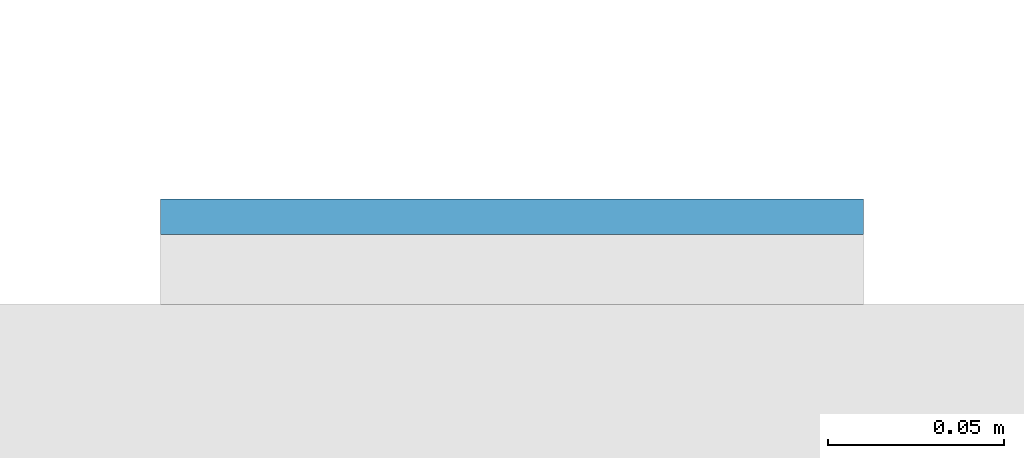
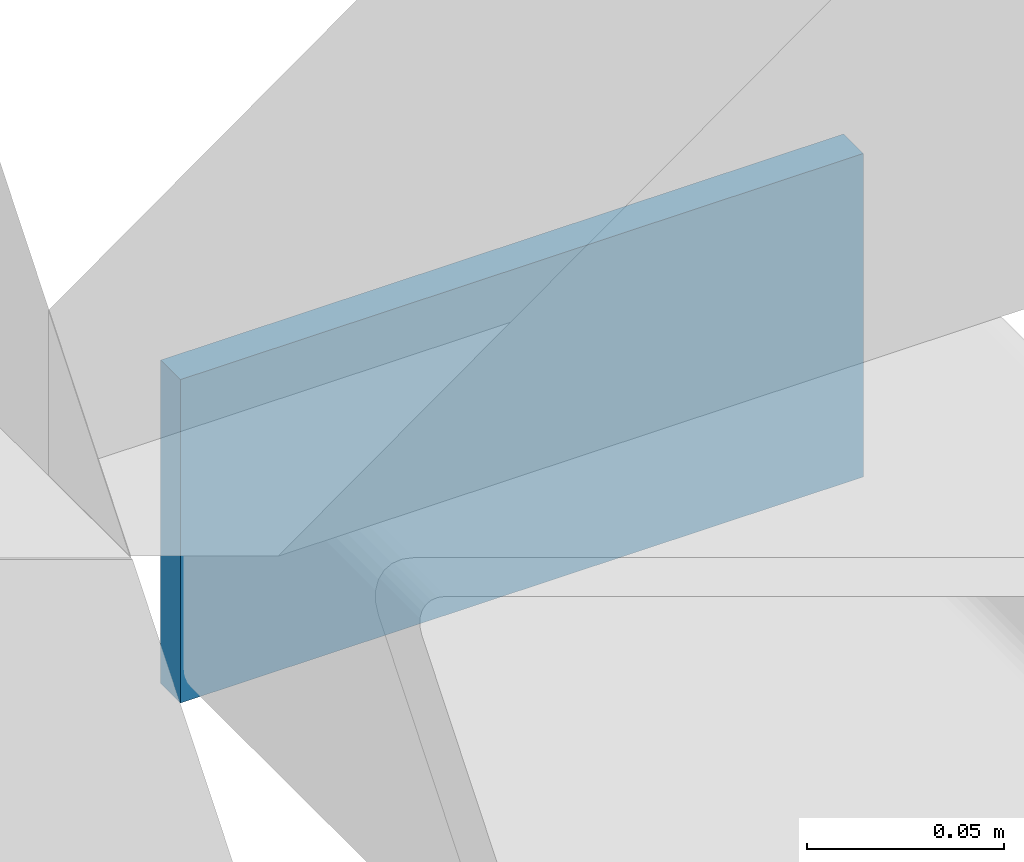
# One storey, part 11 of 20: 1 plate.
"""IFC4 building model written with IfcOpenShell, lengths in metres."""

from ifc_helpers import new_model, si_unit, direction, frame, origin, origin_2d, place, context, subcontext, project, spatial, rectangle, extrude, material, layer, layer_set, type_object, element, save


model = new_model("IFC4")

# Units and contexts
model_context = context("Model", 3, precision=1e-05, world=origin(), true_north=direction((0.0, 1.0)))
body_context = subcontext(model_context, "Body", "Model", "MODEL_VIEW")
ifc_project = project(units=[si_unit("LENGTHUNIT", "METRE"), si_unit("AREAUNIT", "SQUARE_METRE"), si_unit("VOLUMEUNIT", "CUBIC_METRE"), si_unit("PLANEANGLEUNIT", "RADIAN"), si_unit("MASSUNIT", "GRAM", prefix="KILO")], contexts=[model_context])

# Site, building, storey
site_placement = place(None, origin())
site = spatial("IfcSite", under=ifc_project, at=site_placement, CompositionType="ELEMENT")
building_placement = place(site_placement, origin())
building = spatial("IfcBuilding", under=site, at=building_placement, Name="Cleftline Residences", CompositionType="ELEMENT")
storey_placement = place(building_placement, frame((0.0, 0.0, 96.199951171875)))
storey = spatial("IfcBuildingStorey", under=building, at=storey_placement, Name="L24", CompositionType="ELEMENT", Elevation=96.199951171875)

# Plate
ifc_material = material(Name="Steel S355, hot-dip galvanised", Category="steel")
ifc_layer = layer(ifc_material, 0.010009765625)
ifc_layer_set = layer_set([ifc_layer], Name="BAGUETTE CARRIER END PLATE 200X100X10")
plate_type = type_object("IfcPlateType", Name="BAGUETTE CARRIER END PLATE 200X100X10", PredefinedType="USERDEFINED", material=ifc_layer_set)
plate_placement = place(storey_placement, frame((66.85009765625, 44.304931640625, -0.10009765625), z_axis=(0.0, 0.0, 1.0), x_axis=(1.0, 0.0, 0.0)))
element("IfcPlate", 1, at=plate_placement, inside=storey, type_object=plate_type, Name="Baguette carrier end plate", ObjectType="BAGUETTE CARRIER END PLATE", PredefinedType="USERDEFINED", context=body_context, shape_type="SweptSolid", body=[
    extrude(rectangle(XDim=0.199951171875, YDim=0.010009765625, at=origin_2d()), origin(), (0.0, 0.0, 1.0), 0.10009765625),
])

save(model, "model.ifc")
